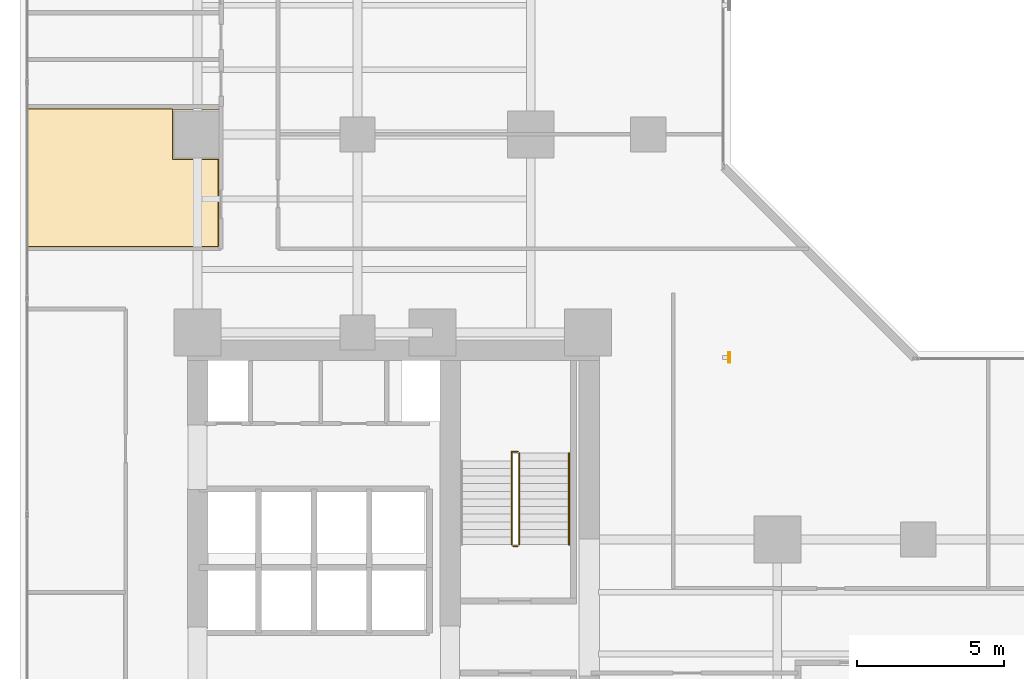
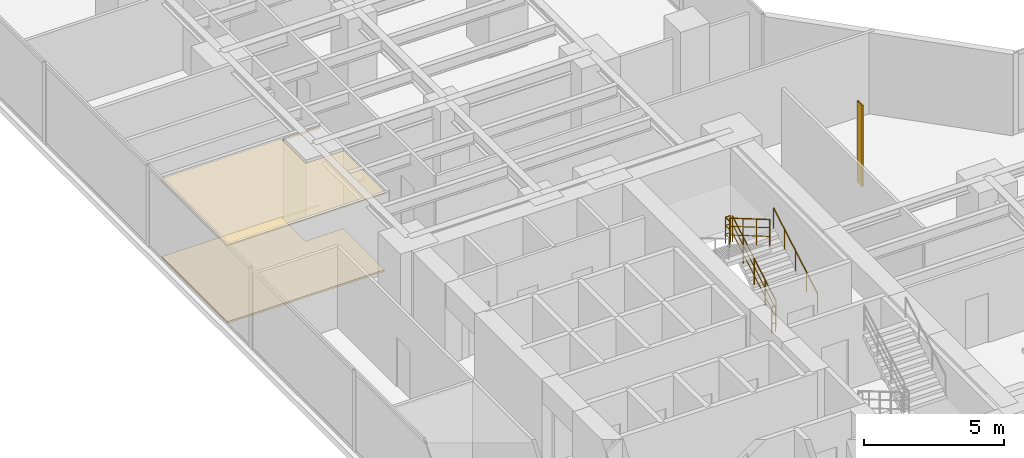
# One storey, part 29 of 31: 5 railings, 2 coverings, 1 shading device.
"""IFC4 building model written with IfcOpenShell, lengths in metres."""

from ifc_helpers import new_model, si_unit, direction, frame, origin, origin_2d, place, context, subcontext, project, spatial, polyline, hollow_rectangle, circle, outline, extrude, material, layer, layer_set, material_profile, profile_set, type_object, element, save


model = new_model("IFC4")

# Units and contexts
model_context = context("Model", 3, precision=1e-05, world=origin(), true_north=direction((0.0, 1.0)))
body_context = subcontext(model_context, "Body", "Model", "MODEL_VIEW")
ifc_project = project(units=[si_unit("LENGTHUNIT", "METRE"), si_unit("AREAUNIT", "SQUARE_METRE"), si_unit("VOLUMEUNIT", "CUBIC_METRE"), si_unit("PLANEANGLEUNIT", "RADIAN"), si_unit("MASSUNIT", "GRAM", prefix="KILO")], contexts=[model_context])

# Site, building, storey
site_placement = place(None, origin())
site = spatial("IfcSite", under=ifc_project, at=site_placement, CompositionType="ELEMENT")
building_placement = place(site_placement, origin())
building = spatial("IfcBuilding", under=site, at=building_placement, Name="Kolvaren Waterfront Exchange", CompositionType="ELEMENT")
storey_placement = place(building_placement, frame((0.0, 0.0, 67.60009765625)))
storey = spatial("IfcBuildingStorey", under=building, at=storey_placement, Name="L17", CompositionType="ELEMENT", Elevation=67.60009765625)

# Covering
ifc_material_1 = material(Name="Perforated bronze acoustic ceiling panel", Category="aluminium")
ifc_layer_1 = layer(ifc_material_1, 0.054931640625, Name="Perforated bronze acoustic ceiling panel")
ifc_layer_set_1 = layer_set([ifc_layer_1], Name="Perforated bronze acoustic ceiling panel")
covering_type_1 = type_object("IfcCoveringType", Name="ARC-CEIL-BAFFLE-55", PredefinedType="CEILING", material=ifc_layer_set_1)
covering_1_placement = place(storey_placement, frame((0.0, 0.0, 3.39501953125)))
element("IfcCovering", 1, at=covering_1_placement, inside=storey, type_object=covering_type_1, Name="L17 acoustic suspended ceiling 1", PredefinedType="CEILING", context=body_context, shape_type="SweptSolid", body=[
    extrude(outline(polyline([(8.18505859375, 30.360107421875), (6.610107421875, 30.360107421875), (6.610107421875, 32.0400390625), (8.18505859375, 32.0400390625), (8.18505859375, 32.10498046875), (1.64501953125, 32.10498046875), (1.64501953125, 27.344970703125), (8.18505859375, 27.344970703125), (8.18505859375, 30.360107421875)])), origin(), (0.0, 0.0, 1.0), 0.054931640625),
])

# Shading device
ifc_material_2 = material(Name="Anodised bronze aluminium 6063-T6", Category="aluminium")
ifc_material_profile = material_profile(ifc_material_2, hollow_rectangle(XDim=0.06005859375, YDim=0.35009765625, WallThickness=0.0048828125, at=origin_2d()), Name="BRZ-FIN-350x60x5")
ifc_profile_set = profile_set([ifc_material_profile], Name="Anodised bronze aluminium 6063-T6")
shading_device_type = type_object("IfcShadingDeviceType", Name="ARC-FIN-350", PredefinedType="USERDEFINED", material=ifc_profile_set)
shading_device_placement = place(storey_placement, frame((25.56005859375, 23.60009765625, 0.0), z_axis=(0.0, 0.0, 1.0), x_axis=(1.0, 0.0, 0.0)))
element("IfcShadingDevice", 2, at=shading_device_placement, inside=storey, type_object=shading_device_type, Name="L17 anodised bronze solar shading fin FIN-L17-E2", ObjectType="SOLAR FIN", PredefinedType="USERDEFINED", context=body_context, shape_type="SweptSolid", body=[
    extrude(hollow_rectangle(XDim=0.06005859375, YDim=0.35009765625, WallThickness=0.0048828125, at=origin_2d()), origin(), (0.0, 0.0, 1.0), 3.539794921875),
])

# Covering
ifc_material_3 = material(Name="Raised access steel-cementitious floor panel", Category="steel")
ifc_layer_2 = layer(ifc_material_3, 0.080078125, Name="Raised access steel-cementitious floor panel")
ifc_layer_set_2 = layer_set([ifc_layer_2], Name="Raised access steel-cementitious floor panel")
covering_type_2 = type_object("IfcCoveringType", Name="ARC-FLR-RAISED-80", PredefinedType="FLOORING", material=ifc_layer_set_2)
covering_2_placement = place(storey_placement, origin())
element("IfcCovering", 3, at=covering_2_placement, inside=storey, type_object=covering_type_2, Name="L17 floor finish 1", PredefinedType="FLOORING", context=body_context, shape_type="SweptSolid", body=[
    extrude(outline(polyline([(1.679931640625, 32.070068359375), (1.679931640625, 27.3798828125), (8.14990234375, 27.3798828125), (8.14990234375, 30.340087890625), (6.590087890625, 30.340087890625), (6.590087890625, 32.06005859375), (8.14990234375, 32.06005859375), (8.14990234375, 32.070068359375), (1.679931640625, 32.070068359375)])), origin(), (0.0, 0.0, 1.0), 0.079833984375),
])

# Railings
ifc_material_4 = material(Name="Stainless steel 316", Category="steel")
railing_type_1 = type_object("IfcRailingType", Name="ARC-GUARD-STAIR", PredefinedType="GUARDRAIL", material=ifc_material_4)
railing_1_placement = place(storey_placement, frame((18.409912109375, 17.219970703125, 0.15185546875)))
element("IfcRailing", 4, at=railing_1_placement, inside=storey, type_object=railing_type_1, Name="L17 ST2 stair guard 1", PredefinedType="GUARDRAIL", context=body_context, shape_type="SweptSolid", body=[
    extrude(circle(Radius=0.02392578125, at=origin_2d()), frame((0.0, 0.0, 1.1259765625), z_axis=(0.0, 0.86330811405, 0.504677223793), x_axis=(-1.0, 0.0, 0.0)), (0.0, 0.0, 1.0), 3.6142578125),
    extrude(circle(Radius=0.01611328125, at=origin_2d()), frame((0.0, 0.0, 0.390869140625), z_axis=(0.0, 0.86330811405, 0.504677223793), x_axis=(-1.0, 0.0, 0.0)), (0.0, 0.0, 1.0), 3.6142578125),
    extrude(circle(Radius=0.01611328125, at=origin_2d()), frame((0.0, 0.0, 0.7705078125), z_axis=(0.0, 0.86330811405, 0.504677223793), x_axis=(-1.0, 0.0, 0.0)), (0.0, 0.0, 1.0), 3.6142578125),
    extrude(circle(Radius=0.02099609375, at=origin_2d()), origin(), (0.0, 0.0, 1.0), 1.101806640625),
    extrude(circle(Radius=0.02099609375, at=origin_2d()), frame((0.0, 0.780029296875, 0.4560546875)), (0.0, 0.0, 1.0), 1.101806640625),
    extrude(circle(Radius=0.02099609375, at=origin_2d()), frame((0.0, 1.56005859375, 0.912109375)), (0.0, 0.0, 1.0), 1.101806640625),
    extrude(circle(Radius=0.02099609375, at=origin_2d()), frame((0.0, 2.340087890625, 1.367919921875)), (0.0, 0.0, 1.0), 1.101806640625),
    extrude(circle(Radius=0.02099609375, at=origin_2d()), frame((0.0, 3.1201171875, 1.823974609375)), (0.0, 0.0, 1.0), 1.101806640625),
])
railing_2_placement = place(storey_placement, frame((18.360107421875, 20.389892578125, 1.975830078125)))
element("IfcRailing", 5, at=railing_2_placement, inside=storey, type_object=railing_type_1, Name="L17 ST2 stair guard 2", PredefinedType="GUARDRAIL", context=body_context, shape_type="SweptSolid", body=[
    extrude(circle(Radius=0.02392578125, at=origin_2d()), frame((0.0, 0.0, 1.1259765625), z_axis=(-1.0, 0.0, 0.0), x_axis=(0.0, -1.0, 0.0)), (0.0, 0.0, 1.0), 0.210205078125),
    extrude(circle(Radius=0.01611328125, at=origin_2d()), frame((0.0, 0.0, 0.390869140625), z_axis=(-1.0, 0.0, 0.0), x_axis=(0.0, -1.0, 0.0)), (0.0, 0.0, 1.0), 0.210205078125),
    extrude(circle(Radius=0.01611328125, at=origin_2d()), frame((0.0, 0.0, 0.7705078125), z_axis=(-1.0, 0.0, 0.0), x_axis=(0.0, -1.0, 0.0)), (0.0, 0.0, 1.0), 0.210205078125),
    extrude(circle(Radius=0.02392578125, at=origin_2d()), frame((-0.210205078125, 0.0, 1.1259765625), z_axis=(0.0, -1.0, 0.0), x_axis=(1.0, 0.0, 0.0)), (0.0, 0.0, 1.0), 0.309814453125),
    extrude(circle(Radius=0.01611328125, at=origin_2d()), frame((-0.210205078125, 0.0, 0.390869140625), z_axis=(0.0, -1.0, 0.0), x_axis=(1.0, 0.0, 0.0)), (0.0, 0.0, 1.0), 0.309814453125),
    extrude(circle(Radius=0.01611328125, at=origin_2d()), frame((-0.210205078125, 0.0, 0.7705078125), z_axis=(0.0, -1.0, 0.0), x_axis=(1.0, 0.0, 0.0)), (0.0, 0.0, 1.0), 0.309814453125),
    extrude(circle(Radius=0.02099609375, at=origin_2d()), origin(), (0.0, 0.0, 1.0), 1.101806640625),
    extrude(circle(Radius=0.02099609375, at=origin_2d()), frame((-0.210205078125, 0.0, 0.0)), (0.0, 0.0, 1.0), 1.101806640625),
    extrude(circle(Radius=0.02099609375, at=origin_2d()), frame((-0.210205078125, -0.309814453125, 0.0)), (0.0, 0.0, 1.0), 1.101806640625),
])
railing_3_placement = place(storey_placement, frame((18.14990234375, 20.080078125, 2.1279296875)))
element("IfcRailing", 6, at=railing_3_placement, inside=storey, type_object=railing_type_1, Name="L17 ST2 stair guard 3", PredefinedType="GUARDRAIL", context=body_context, shape_type="SweptSolid", body=[
    extrude(circle(Radius=0.02392578125, at=origin_2d()), frame((0.0, 0.0, 1.1259765625), z_axis=(0.0, -0.863321491973, 0.504654338629), x_axis=(1.0, 0.0, 0.0)), (0.0, 0.0, 1.0), 3.31298828125),
    extrude(circle(Radius=0.01611328125, at=origin_2d()), frame((0.0, 0.0, 0.390869140625), z_axis=(0.0, -0.863321491973, 0.504654338629), x_axis=(1.0, 0.0, 0.0)), (0.0, 0.0, 1.0), 3.31298828125),
    extrude(circle(Radius=0.01611328125, at=origin_2d()), frame((0.0, 0.0, 0.7705078125), z_axis=(0.0, -0.863321491973, 0.504654338629), x_axis=(1.0, 0.0, 0.0)), (0.0, 0.0, 1.0), 3.31298828125),
    extrude(circle(Radius=0.02099609375, at=origin_2d()), origin(), (0.0, 0.0, 1.0), 1.101806640625),
    extrude(circle(Radius=0.02099609375, at=origin_2d()), frame((0.0, -0.953369140625, 0.557373046875)), (0.0, 0.0, 1.0), 1.101806640625),
    extrude(circle(Radius=0.02099609375, at=origin_2d()), frame((0.0, -1.90673828125, 1.114501953125)), (0.0, 0.0, 1.0), 1.101806640625),
    extrude(circle(Radius=0.02099609375, at=origin_2d()), frame((0.0, -2.860107421875, 1.671875)), (0.0, 0.0, 1.0), 1.101806640625),
])
railing_4_placement = place(storey_placement, frame((18.360107421875, 17.169921875, 0.0)))
element("IfcRailing", 7, at=railing_4_placement, inside=storey, type_object=railing_type_1, Name="L17 ST2 stair guard 4", PredefinedType="GUARDRAIL", context=body_context, shape_type="SweptSolid", body=[
    extrude(circle(Radius=0.02392578125, at=origin_2d()), frame((0.0, 0.0, 1.1259765625), z_axis=(-1.0, 0.0, 0.0), x_axis=(0.0, -1.0, 0.0)), (0.0, 0.0, 1.0), 0.16015625),
    extrude(circle(Radius=0.01611328125, at=origin_2d()), frame((0.0, 0.0, 0.390869140625), z_axis=(-1.0, 0.0, 0.0), x_axis=(0.0, -1.0, 0.0)), (0.0, 0.0, 1.0), 0.16015625),
    extrude(circle(Radius=0.01611328125, at=origin_2d()), frame((0.0, 0.0, 0.7705078125), z_axis=(-1.0, 0.0, 0.0), x_axis=(0.0, -1.0, 0.0)), (0.0, 0.0, 1.0), 0.16015625),
    extrude(circle(Radius=0.02099609375, at=origin_2d()), origin(), (0.0, 0.0, 1.0), 1.101806640625),
    extrude(circle(Radius=0.02099609375, at=origin_2d()), frame((-0.16015625, 0.0, 0.0)), (0.0, 0.0, 1.0), 1.101806640625),
])
railing_type_2 = type_object("IfcRailingType", Name="ARC-HANDRAIL-900", PredefinedType="HANDRAIL", material=ifc_material_4)
railing_5_placement = place(storey_placement, frame((20.110107421875, 17.219970703125, 0.15185546875)))
element("IfcRailing", 8, at=railing_5_placement, inside=storey, type_object=railing_type_2, Name="L17 ST2 stair handrail 1", PredefinedType="HANDRAIL", context=body_context, shape_type="SweptSolid", body=[
    extrude(circle(Radius=0.02392578125, at=origin_2d()), frame((0.0, 0.0, 0.8759765625), z_axis=(0.0, 0.86330811405, 0.504677223793), x_axis=(-1.0, 0.0, 0.0)), (0.0, 0.0, 1.0), 3.6142578125),
    extrude(circle(Radius=0.02099609375, at=origin_2d()), origin(), (0.0, 0.0, 1.0), 0.851806640625),
    extrude(circle(Radius=0.02099609375, at=origin_2d()), frame((0.0, 0.780029296875, 0.4560546875)), (0.0, 0.0, 1.0), 0.851806640625),
    extrude(circle(Radius=0.02099609375, at=origin_2d()), frame((0.0, 1.56005859375, 0.912109375)), (0.0, 0.0, 1.0), 0.851806640625),
    extrude(circle(Radius=0.02099609375, at=origin_2d()), frame((0.0, 2.340087890625, 1.367919921875)), (0.0, 0.0, 1.0), 0.851806640625),
    extrude(circle(Radius=0.02099609375, at=origin_2d()), frame((0.0, 3.1201171875, 1.823974609375)), (0.0, 0.0, 1.0), 0.851806640625),
])

save(model, "model.ifc")
